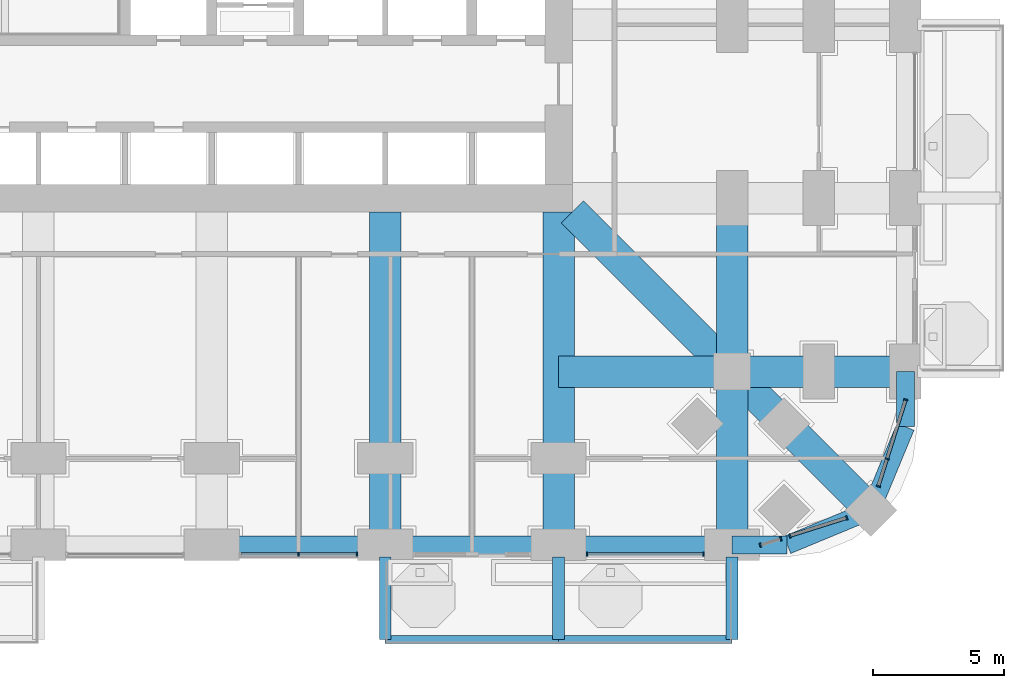
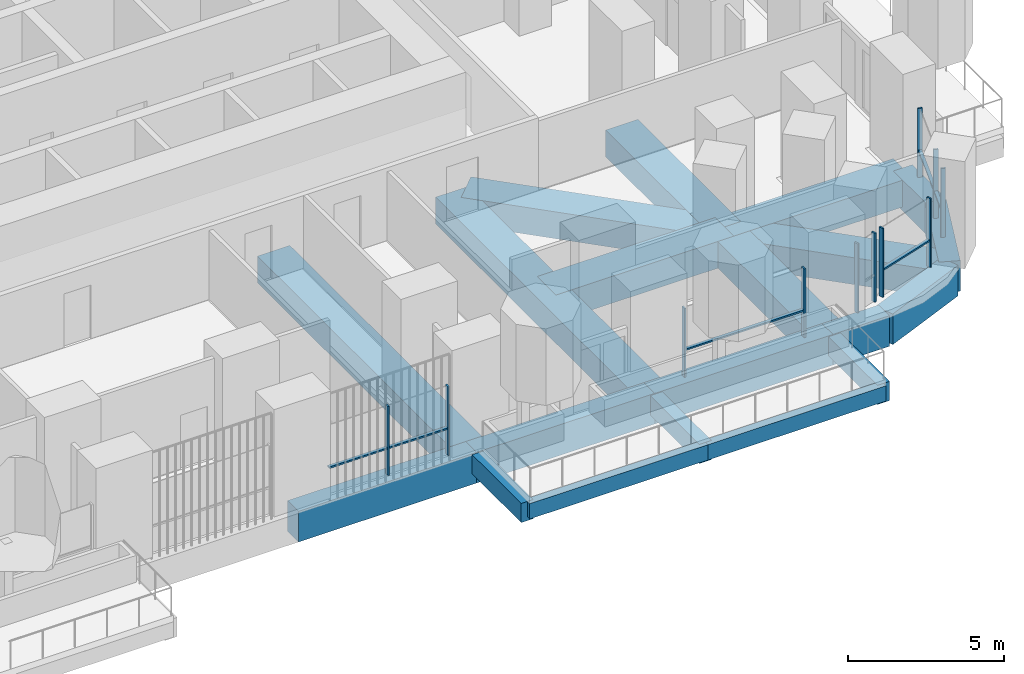
# One storey, part 5 of 27: 20 beams, 17 members, 5 elements without a shape of their own.
"""IFC4 building model written with IfcOpenShell, lengths in metres."""

from ifc_helpers import new_model, si_unit, direction, frame, origin, origin_2d, place, context, subcontext, project, spatial, rectangle, extrude, material, material_profile, profile_set, type_object, element, aggregate, save


model = new_model("IFC4")

# Units and contexts
model_context = context("Model", 3, precision=1e-05, world=origin(), true_north=direction((0.0, 1.0)))
body_context = subcontext(model_context, "Body", "Model", "MODEL_VIEW")
ifc_project = project(units=[si_unit("LENGTHUNIT", "METRE"), si_unit("AREAUNIT", "SQUARE_METRE"), si_unit("VOLUMEUNIT", "CUBIC_METRE"), si_unit("PLANEANGLEUNIT", "RADIAN"), si_unit("MASSUNIT", "GRAM", prefix="KILO")], contexts=[model_context])

# Site, building, storey
site_placement = place(None, origin())
site = spatial("IfcSite", under=ifc_project, at=site_placement, CompositionType="ELEMENT")
building_placement = place(site_placement, origin())
building = spatial("IfcBuilding", under=site, at=building_placement, Name="Cobogo Forest Laboratory Tower", CompositionType="ELEMENT")
storey_placement = place(building_placement, frame((0.0, 0.0, 46.5)))
storey = spatial("IfcBuildingStorey", under=building, at=storey_placement, Name="L10", CompositionType="ELEMENT", Elevation=46.5)

# Beams
ifc_material_1 = material(Name="Concrete HA-40 (C40/50)", Category="concrete")
ifc_material_profile_1 = material_profile(ifc_material_1, rectangle(XDim=0.449951171875, YDim=0.75, at=origin_2d()), Name="RC 450x750")
ifc_profile_set_1 = profile_set([ifc_material_profile_1], Name="Concrete HA-40 (C40/50)")
beam_type_1 = type_object("IfcBeamType", Name="Balcony cantilever beam 450x750", PredefinedType="BEAM", material=ifc_profile_set_1)
for number, where, z_axis, x_axis, name in (
    (1, (33.0, -0.449951171875, -0.625), (0.0, -1.0, 0.0), (1.0, 0.0, 0.0), "CB1 BAL-S2-C1 L10"),
    (2, (39.60009765625, -0.449951171875, -0.625), (0.0, -1.0, 0.0), (1.0, 0.0, 0.0), "CB1 BAL-S2-C2 L10"),
    (3, (46.199951171875, -0.449951171875, -0.625), (0.0, -1.0, 0.0), (1.0, 0.0, 0.0), "CB1 BAL-S2-C3 L10"),
):
    element("IfcBeam", number, at=place(storey_placement, frame(where, z_axis=z_axis, x_axis=x_axis)), inside=storey, type_object=beam_type_1, Name=name, PredefinedType="BEAM", context=body_context, shape_type="SweptSolid", body=[
        extrude(rectangle(XDim=0.449951171875, YDim=0.75, at=origin_2d()), origin(), (0.0, 0.0, 1.0), 3.150146484375),
    ])
ifc_material_profile_2 = material_profile(ifc_material_1, rectangle(XDim=0.300048828125, YDim=0.60009765625, at=origin_2d()), Name="RC 300x600")
ifc_profile_set_2 = profile_set([ifc_material_profile_2], Name="Concrete HA-40 (C40/50)")
beam_type_2 = type_object("IfcBeamType", Name="Balcony edge beam 300x600", PredefinedType="BEAM", material=ifc_profile_set_2)
beam_1_placement = place(storey_placement, frame((33.0, -3.60009765625, -0.550048828125), z_axis=(1.0, 0.0, 0.0), x_axis=(0.0, 1.0, 0.0)))
element("IfcBeam", 4, at=beam_1_placement, inside=storey, type_object=beam_type_2, Name="BB1 BAL-S2-T1 L10", PredefinedType="BEAM", context=body_context, shape_type="SweptSolid", body=[
    extrude(rectangle(XDim=0.300048828125, YDim=0.60009765625, at=origin_2d()), origin(), (0.0, 0.0, 1.0), 6.60009765625),
])
beam_2_placement = place(storey_placement, frame((39.60009765625, -3.60009765625, -0.550048828125), z_axis=(1.0, 0.0, 0.0), x_axis=(0.0, 1.0, 0.0)))
element("IfcBeam", 5, at=beam_2_placement, inside=storey, type_object=beam_type_2, Name="BB1 BAL-S2-T2 L10", PredefinedType="BEAM", context=body_context, shape_type="SweptSolid", body=[
    extrude(rectangle(XDim=0.300048828125, YDim=0.60009765625, at=origin_2d()), origin(), (0.0, 0.0, 1.0), 6.599853515625),
])
ifc_material_profile_3 = material_profile(ifc_material_1, rectangle(XDim=1.199951171875, YDim=1.050048828125, at=origin_2d()), Name="RC 1200x1050")
ifc_profile_set_3 = profile_set([ifc_material_profile_3], Name="Concrete HA-40 (C40/50)")
beam_type_3 = type_object("IfcBeamType", Name="Laboratory floor wide beam 1200x1050", PredefinedType="BEAM", material=ifc_profile_set_3)
for number, where, z_axis, x_axis, name in (
    (6, (33.0, 12.675048828125, -0.824951171875), (0.0, -1.0, 0.0), (1.0, 0.0, 0.0), "RB1 R-6-S L10"),
    (7, (39.60009765625, 12.675048828125, -0.824951171875), (0.0, -1.0, 0.0), (1.0, 0.0, 0.0), "RB1 R-7-S L10"),
):
    element("IfcBeam", number, at=place(storey_placement, frame(where, z_axis=z_axis, x_axis=x_axis)), inside=storey, type_object=beam_type_3, Name=name, PredefinedType="BEAM", context=body_context, shape_type="SweptSolid", body=[
        extrude(rectangle(XDim=1.199951171875, YDim=1.050048828125, at=origin_2d()), origin(), (0.0, 0.0, 1.0), 12.675048828125),
    ])
beam_3_placement = place(storey_placement, frame((46.199951171875, 0.0, -0.824951171875), z_axis=(0.0, 1.0, 0.0), x_axis=(-1.0, 0.0, 0.0)))
element("IfcBeam", 8, at=beam_3_placement, inside=storey, type_object=beam_type_3, Name="RB1 G-SE-XF L10", PredefinedType="BEAM", context=body_context, shape_type="SweptSolid", body=[
    extrude(rectangle(XDim=1.199951171875, YDim=1.050048828125, at=origin_2d()), origin(), (0.0, 0.0, 1.0), 6.60009765625),
])
beam_4_placement = place(storey_placement, frame((46.199951171875, 6.60009765625, -0.824951171875), z_axis=(0.0, 1.0, 0.0), x_axis=(-1.0, 0.0, 0.0)))
element("IfcBeam", 9, at=beam_4_placement, inside=storey, type_object=beam_type_3, Name="RB1 G-SE-XC L10", PredefinedType="BEAM", context=body_context, shape_type="SweptSolid", body=[
    extrude(rectangle(XDim=1.199951171875, YDim=1.050048828125, at=origin_2d()), origin(), (0.0, 0.0, 1.0), 6.599853515625),
])
beam_5_placement = place(storey_placement, frame((52.800048828125, 6.60009765625, -0.824951171875), z_axis=(-1.0, 0.0, 0.0), x_axis=(0.0, -1.0, 0.0)))
element("IfcBeam", 10, at=beam_5_placement, inside=storey, type_object=beam_type_3, Name="RB1 G-SE-YF L10", PredefinedType="BEAM", context=body_context, shape_type="SweptSolid", body=[
    extrude(rectangle(XDim=1.199951171875, YDim=1.050048828125, at=origin_2d()), origin(), (0.0, 0.0, 1.0), 6.60009765625),
])
beam_6_placement = place(storey_placement, frame((46.199951171875, 6.60009765625, -0.824951171875), z_axis=(-1.0, 0.0, 0.0), x_axis=(0.0, -1.0, 0.0)))
element("IfcBeam", 11, at=beam_6_placement, inside=storey, type_object=beam_type_3, Name="RB1 G-SE-YC L10", PredefinedType="BEAM", context=body_context, shape_type="SweptSolid", body=[
    extrude(rectangle(XDim=1.199951171875, YDim=1.050048828125, at=origin_2d()), origin(), (0.0, 0.0, 1.0), 6.599853515625),
])
beam_7_placement = place(storey_placement, frame((51.48193359375, 1.318115234375, -0.824951171875), z_axis=(-0.707106781187, 0.707106781187, 0.0), x_axis=(-0.707106781187, -0.707106781187, 0.0)))
element("IfcBeam", 12, at=beam_7_placement, inside=storey, type_object=beam_type_3, Name="RB1 G-SE-D1 L10", PredefinedType="BEAM", context=body_context, shape_type="SweptSolid", body=[
    extrude(rectangle(XDim=1.199951171875, YDim=1.050048828125, at=origin_2d()), origin(), (0.0, 0.0, 1.0), 7.469970703125),
])
beam_8_placement = place(storey_placement, frame((46.199951171875, 6.60009765625, -0.824951171875), z_axis=(-0.707106781187, 0.707106781187, 0.0), x_axis=(-0.707106781187, -0.707106781187, 0.0)))
element("IfcBeam", 13, at=beam_8_placement, inside=storey, type_object=beam_type_3, Name="RB1 G-SE-D2 L10", PredefinedType="BEAM", context=body_context, shape_type="SweptSolid", body=[
    extrude(rectangle(XDim=1.199951171875, YDim=1.050048828125, at=origin_2d()), origin(), (0.0, 0.0, 1.0), 8.59130859375),
])

# Curtain wall, members
ifc_material_2 = material(Name="Aluminium curtain wall", Category="aluminium")
curtain_wall_type = type_object("IfcCurtainWallType", Name="CW-1 unitised curtain wall, clear glazing, laboratory floors zones A and B", PredefinedType="USERDEFINED", material=ifc_material_2)
curtain_wall_1_placement = place(storey_placement, origin())
curtain_wall_1 = element("IfcCurtainWall", 14, at=curtain_wall_1_placement, inside=storey, type_object=curtain_wall_type, Name="Curtain wall 04 L10", ObjectType="UNITISED CURTAIN WALL", PredefinedType="USERDEFINED")
ifc_material_3 = material(Name="Aluminium mullion", Category="aluminium")
ifc_material_profile_4 = material_profile(ifc_material_3, rectangle(XDim=0.06005859375, YDim=0.159912109375, at=origin_2d()), Name="AL 60x160")
ifc_profile_set_4 = profile_set([ifc_material_profile_4], Name="Aluminium mullion")
member_type_1 = type_object("IfcMemberType", Name="MU-1 aluminium mullion 60x160", PredefinedType="MULLION", material=ifc_profile_set_4)
member_1_placement = place(storey_placement, frame((29.699951171875, -0.35009765625, 0.0), z_axis=(0.0, 0.0, 1.0), x_axis=(1.0, 0.0, 0.0)))
member_1 = element("IfcMember", 15, at=member_1_placement, type_object=member_type_1, Name="CW-1 mullion 2", PredefinedType="MULLION", context=body_context, shape_type="SweptSolid", body=[
    extrude(rectangle(XDim=0.06005859375, YDim=0.159912109375, at=origin_2d()), origin(), (0.0, 0.0, 1.0), 2.699951171875),
])
member_2_placement = place(storey_placement, frame((31.919921875, -0.35009765625, 0.0), z_axis=(0.0, 0.0, 1.0), x_axis=(1.0, 0.0, 0.0)))
member_2 = element("IfcMember", 16, at=member_2_placement, type_object=member_type_1, Name="CW-1 mullion 3", PredefinedType="MULLION", context=body_context, shape_type="SweptSolid", body=[
    extrude(rectangle(XDim=0.06005859375, YDim=0.159912109375, at=origin_2d()), origin(), (0.0, 0.0, 1.0), 2.699951171875),
])

curtain_wall_2_placement = place(storey_placement, origin())
curtain_wall_2 = element("IfcCurtainWall", 17, at=curtain_wall_2_placement, inside=storey, type_object=curtain_wall_type, Name="Curtain wall 06 L10", ObjectType="UNITISED CURTAIN WALL", PredefinedType="USERDEFINED")
member_3_placement = place(storey_placement, frame((40.679931640625, -0.35009765625, 0.0), z_axis=(0.0, 0.0, 1.0), x_axis=(1.0, 0.0, 0.0)))
member_3 = element("IfcMember", 18, at=member_3_placement, type_object=member_type_1, Name="CW-1 mullion 1", PredefinedType="MULLION", context=body_context, shape_type="SweptSolid", body=[
    extrude(rectangle(XDim=0.06005859375, YDim=0.159912109375, at=origin_2d()), origin(), (0.0, 0.0, 1.0), 2.699951171875),
])
member_4_placement = place(storey_placement, frame((45.1201171875, -0.35009765625, 0.0), z_axis=(0.0, 0.0, 1.0), x_axis=(1.0, 0.0, 0.0)))
member_4 = element("IfcMember", 19, at=member_4_placement, type_object=member_type_1, Name="CW-1 mullion 2", PredefinedType="MULLION", context=body_context, shape_type="SweptSolid", body=[
    extrude(rectangle(XDim=0.06005859375, YDim=0.159912109375, at=origin_2d()), origin(), (0.0, 0.0, 1.0), 2.699951171875),
])

curtain_wall_3_placement = place(storey_placement, origin())
curtain_wall_3 = element("IfcCurtainWall", 20, at=curtain_wall_3_placement, inside=storey, type_object=curtain_wall_type, Name="Curtain wall 07 L10", ObjectType="UNITISED CURTAIN WALL", PredefinedType="USERDEFINED")
member_5_placement = place(storey_placement, frame((47.278564453125, -0.00927734375, 0.0), z_axis=(0.0, 0.0, 1.0), x_axis=(0.953581504428, 0.301135043481, 0.0)))
member_5 = element("IfcMember", 21, at=member_5_placement, type_object=member_type_1, Name="CW-1 mullion 1", PredefinedType="MULLION", context=body_context, shape_type="SweptSolid", body=[
    extrude(rectangle(XDim=0.06005859375, YDim=0.159912109375, at=origin_2d()), origin(), (0.0, 0.0, 1.0), 2.699951171875),
])
member_6_placement = place(storey_placement, frame((48.05322265625, 0.2353515625, 0.0), z_axis=(0.0, 0.0, 1.0), x_axis=(0.953581504428, 0.301135043481, 0.0)))
member_6 = element("IfcMember", 22, at=member_6_placement, type_object=member_type_1, Name="CW-1 mullion 2", PredefinedType="MULLION", context=body_context, shape_type="SweptSolid", body=[
    extrude(rectangle(XDim=0.06005859375, YDim=0.159912109375, at=origin_2d()), origin(), (0.0, 0.0, 1.0), 2.699951171875),
])
aggregate(curtain_wall_3, [member_5, member_6])

curtain_wall_4_placement = place(storey_placement, origin())
curtain_wall_4 = element("IfcCurtainWall", 23, at=curtain_wall_4_placement, inside=storey, type_object=curtain_wall_type, Name="Curtain wall 08 L10", ObjectType="UNITISED CURTAIN WALL", PredefinedType="USERDEFINED")
member_7_placement = place(storey_placement, frame((48.403076171875, 0.345703125, 0.0), z_axis=(0.0, 0.0, 1.0), x_axis=(0.953581409645, 0.301135343623, 0.0)))
member_7 = element("IfcMember", 24, at=member_7_placement, type_object=member_type_1, Name="CW-1 mullion 1", PredefinedType="MULLION", context=body_context, shape_type="SweptSolid", body=[
    extrude(rectangle(XDim=0.06005859375, YDim=0.159912109375, at=origin_2d()), origin(), (0.0, 0.0, 1.0), 2.699951171875),
])
member_8_placement = place(storey_placement, frame((50.561279296875, 1.02734375, 0.0), z_axis=(0.0, 0.0, 1.0), x_axis=(0.953581409645, 0.301135343623, 0.0)))
member_8 = element("IfcMember", 25, at=member_8_placement, type_object=member_type_1, Name="CW-1 mullion 2", PredefinedType="MULLION", context=body_context, shape_type="SweptSolid", body=[
    extrude(rectangle(XDim=0.06005859375, YDim=0.159912109375, at=origin_2d()), origin(), (0.0, 0.0, 1.0), 2.699951171875),
])

curtain_wall_5_placement = place(storey_placement, origin())
curtain_wall_5 = element("IfcCurtainWall", 26, at=curtain_wall_5_placement, inside=storey, type_object=curtain_wall_type, Name="Curtain wall 09 L10", ObjectType="UNITISED CURTAIN WALL", PredefinedType="USERDEFINED")
member_9_placement = place(storey_placement, frame((51.772705078125, 2.23876953125, 0.0), z_axis=(0.0, 0.0, 1.0), x_axis=(0.30113535792, 0.95358140513, 0.0)))
member_9 = element("IfcMember", 27, at=member_9_placement, type_object=member_type_1, Name="CW-1 mullion 1", PredefinedType="MULLION", context=body_context, shape_type="SweptSolid", body=[
    extrude(rectangle(XDim=0.06005859375, YDim=0.159912109375, at=origin_2d()), origin(), (0.0, 0.0, 1.0), 2.699951171875),
])
member_10_placement = place(storey_placement, frame((52.100341796875, 3.27587890625, 0.0), z_axis=(0.0, 0.0, 1.0), x_axis=(0.30113535792, 0.95358140513, 0.0)))
member_10 = element("IfcMember", 28, at=member_10_placement, type_object=member_type_1, Name="CW-1 mullion 2", PredefinedType="MULLION", context=body_context, shape_type="SweptSolid", body=[
    extrude(rectangle(XDim=0.06005859375, YDim=0.159912109375, at=origin_2d()), origin(), (0.0, 0.0, 1.0), 2.699951171875),
])
member_11_placement = place(storey_placement, frame((52.809326171875, 5.521484375, 0.0), z_axis=(0.0, 0.0, 1.0), x_axis=(0.30113535792, 0.95358140513, 0.0)))
member_11 = element("IfcMember", 29, at=member_11_placement, type_object=member_type_1, Name="CW-1 mullion 3", PredefinedType="MULLION", context=body_context, shape_type="SweptSolid", body=[
    extrude(rectangle(XDim=0.06005859375, YDim=0.159912109375, at=origin_2d()), origin(), (0.0, 0.0, 1.0), 2.699951171875),
])

# Beams
ifc_material_profile_5 = material_profile(ifc_material_1, rectangle(XDim=0.699951171875, YDim=1.199951171875, at=origin_2d()), Name="RC 700x1200")
ifc_profile_set_5 = profile_set([ifc_material_profile_5], Name="Concrete HA-40 (C40/50)")
beam_type_4 = type_object("IfcBeamType", Name="Perimeter edge beam 700x1200", PredefinedType="BEAM", material=ifc_profile_set_5)
for number, where, z_axis, x_axis, name in (
    (30, (26.39990234375, 0.0, -0.89990234375), (1.0, 0.0, 0.0), (0.0, 1.0, 0.0), "EB1 E-S4 L10"),
    (31, (33.0, 0.0, -0.89990234375), (1.0, 0.0, 0.0), (0.0, 1.0, 0.0), "EB1 E-S5 L10"),
):
    element("IfcBeam", number, at=place(storey_placement, frame(where, z_axis=z_axis, x_axis=x_axis)), inside=storey, type_object=beam_type_4, Name=name, PredefinedType="BEAM", context=body_context, shape_type="SweptSolid", body=[
        extrude(rectangle(XDim=0.699951171875, YDim=1.199951171875, at=origin_2d()), origin(), (0.0, 0.0, 1.0), 6.60009765625),
    ])
beam_9_placement = place(storey_placement, frame((39.60009765625, 0.0, -0.89990234375), z_axis=(1.0, 0.0, 0.0), x_axis=(0.0, 1.0, 0.0)))
element("IfcBeam", 32, at=beam_9_placement, inside=storey, type_object=beam_type_4, Name="EB1 E-S6 L10", PredefinedType="BEAM", context=body_context, shape_type="SweptSolid", body=[
    extrude(rectangle(XDim=0.699951171875, YDim=1.199951171875, at=origin_2d()), origin(), (0.0, 0.0, 1.0), 6.599853515625),
])
beam_10_placement = place(storey_placement, frame((46.199951171875, 0.0, -0.89990234375), z_axis=(1.0, 0.0, 0.0), x_axis=(0.0, 1.0, 0.0)))
element("IfcBeam", 33, at=beam_10_placement, inside=storey, type_object=beam_type_4, Name="EB1 E-SES1 L10", PredefinedType="BEAM", context=body_context, shape_type="SweptSolid", body=[
    extrude(rectangle(XDim=0.699951171875, YDim=1.199951171875, at=origin_2d()), origin(), (0.0, 0.0, 1.0), 2.10009765625),
])
beam_11_placement = place(storey_placement, frame((48.300048828125, 0.0, -0.89990234375), z_axis=(0.923865631356, 0.382716990999, 0.0), x_axis=(-0.382716990999, 0.923865631356, 0.0)))
element("IfcBeam", 34, at=beam_11_placement, inside=storey, type_object=beam_type_4, Name="EB1 E-SES2 L10", PredefinedType="BEAM", context=body_context, shape_type="SweptSolid", body=[
    extrude(rectangle(XDim=0.699951171875, YDim=1.199951171875, at=origin_2d()), origin(), (0.0, 0.0, 1.0), 3.444091796875),
])
beam_12_placement = place(storey_placement, frame((52.800048828125, 6.60009765625, -0.89990234375), z_axis=(0.0, -1.0, 0.0), x_axis=(1.0, 0.0, 0.0)))
element("IfcBeam", 35, at=beam_12_placement, inside=storey, type_object=beam_type_4, Name="EB1 E-SEE1 L10", PredefinedType="BEAM", context=body_context, shape_type="SweptSolid", body=[
    extrude(rectangle(XDim=0.699951171875, YDim=1.199951171875, at=origin_2d()), origin(), (0.0, 0.0, 1.0), 2.10009765625),
])
beam_13_placement = place(storey_placement, frame((52.800048828125, 4.5, -0.89990234375), z_axis=(-0.382716990999, -0.923865631356, 0.0), x_axis=(0.923865631356, -0.382716990999, 0.0)))
element("IfcBeam", 36, at=beam_13_placement, inside=storey, type_object=beam_type_4, Name="EB1 E-SEE2 L10", PredefinedType="BEAM", context=body_context, shape_type="SweptSolid", body=[
    extrude(rectangle(XDim=0.699951171875, YDim=1.199951171875, at=origin_2d()), origin(), (0.0, 0.0, 1.0), 3.444091796875),
])

# Member
ifc_material_4 = material(Name="Aluminium transom", Category="aluminium")
ifc_material_profile_6 = material_profile(ifc_material_4, rectangle(XDim=0.1201171875, YDim=0.06005859375, at=origin_2d()), Name="AL 60x120")
ifc_profile_set_6 = profile_set([ifc_material_profile_6], Name="Aluminium transom")
member_type_2 = type_object("IfcMemberType", Name="TR-1 aluminium transom 60x120", PredefinedType="USERDEFINED", material=ifc_profile_set_6)
member_12_placement = place(storey_placement, frame((27.510009765625, -0.35009765625, 1.050048828125), z_axis=(1.0, 0.0, 0.0), x_axis=(0.0, 1.0, 0.0)))
member_12 = element("IfcMember", 37, at=member_12_placement, type_object=member_type_2, Name="CW-1 transom 1.1", ObjectType="TRANSOM", PredefinedType="USERDEFINED", context=body_context, shape_type="SweptSolid", body=[
    extrude(rectangle(XDim=0.1201171875, YDim=0.06005859375, at=origin_2d()), origin(), (0.0, 0.0, 1.0), 2.159912109375),
])

member_13_placement = place(storey_placement, frame((29.72998046875, -0.35009765625, 1.050048828125), z_axis=(1.0, 0.0, 0.0), x_axis=(0.0, 1.0, 0.0)))
member_13 = element("IfcMember", 38, at=member_13_placement, type_object=member_type_2, Name="CW-1 transom 2.1", ObjectType="TRANSOM", PredefinedType="USERDEFINED", context=body_context, shape_type="SweptSolid", body=[
    extrude(rectangle(XDim=0.1201171875, YDim=0.06005859375, at=origin_2d()), origin(), (0.0, 0.0, 1.0), 2.159912109375),
])

aggregate(curtain_wall_1, [member_1, member_2, member_12, member_13])

member_14_placement = place(storey_placement, frame((40.7099609375, -0.35009765625, 1.050048828125), z_axis=(1.0, 0.0, 0.0), x_axis=(0.0, 1.0, 0.0)))
member_14 = element("IfcMember", 39, at=member_14_placement, type_object=member_type_2, Name="CW-1 transom 1.1", ObjectType="TRANSOM", PredefinedType="USERDEFINED", context=body_context, shape_type="SweptSolid", body=[
    extrude(rectangle(XDim=0.1201171875, YDim=0.06005859375, at=origin_2d()), origin(), (0.0, 0.0, 1.0), 4.380126953125),
])

aggregate(curtain_wall_2, [member_3, member_4, member_14])

member_15_placement = place(storey_placement, frame((48.431640625, 0.354736328125, 1.050048828125), z_axis=(0.953572616955, 0.301163185322, 0.0), x_axis=(-0.301163185322, 0.953572616955, 0.0)))
member_15 = element("IfcMember", 40, at=member_15_placement, type_object=member_type_2, Name="CW-1 transom 1.1", ObjectType="TRANSOM", PredefinedType="USERDEFINED", context=body_context, shape_type="SweptSolid", body=[
    extrude(rectangle(XDim=0.1201171875, YDim=0.06005859375, at=origin_2d()), origin(), (0.0, 0.0, 1.0), 2.203369140625),
])

aggregate(curtain_wall_4, [member_7, member_8, member_15])

member_16_placement = place(storey_placement, frame((51.78173828125, 2.267333984375, 1.050048828125), z_axis=(0.301222320394, 0.953553938535, 0.0), x_axis=(-0.953553938535, 0.301222320394, 0.0)))
member_16 = element("IfcMember", 41, at=member_16_placement, type_object=member_type_2, Name="CW-1 transom 1.1", ObjectType="TRANSOM", PredefinedType="USERDEFINED", context=body_context, shape_type="SweptSolid", body=[
    extrude(rectangle(XDim=0.1201171875, YDim=0.06005859375, at=origin_2d()), origin(), (0.0, 0.0, 1.0), 1.02783203125),
])

member_17_placement = place(storey_placement, frame((52.109375, 3.304443359375, 1.050048828125), z_axis=(0.301090633022, 0.953595527835, 0.0), x_axis=(-0.953595527835, 0.301090633022, 0.0)))
member_17 = element("IfcMember", 42, at=member_17_placement, type_object=member_type_2, Name="CW-1 transom 2.1", ObjectType="TRANSOM", PredefinedType="USERDEFINED", context=body_context, shape_type="SweptSolid", body=[
    extrude(rectangle(XDim=0.1201171875, YDim=0.06005859375, at=origin_2d()), origin(), (0.0, 0.0, 1.0), 2.294677734375),
])

aggregate(curtain_wall_5, [member_9, member_10, member_11, member_16, member_17])

save(model, "model.ifc")
